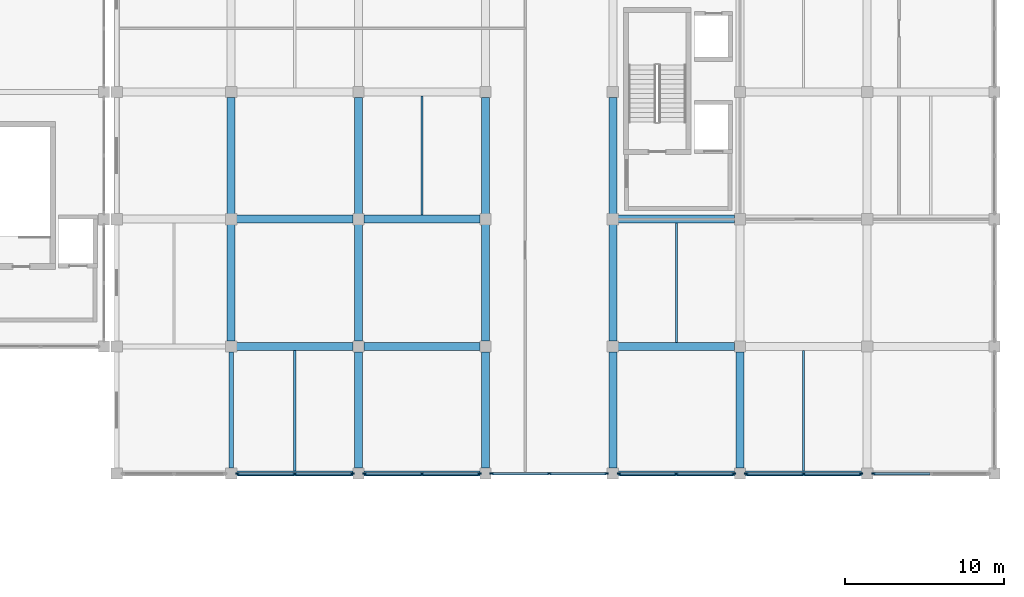
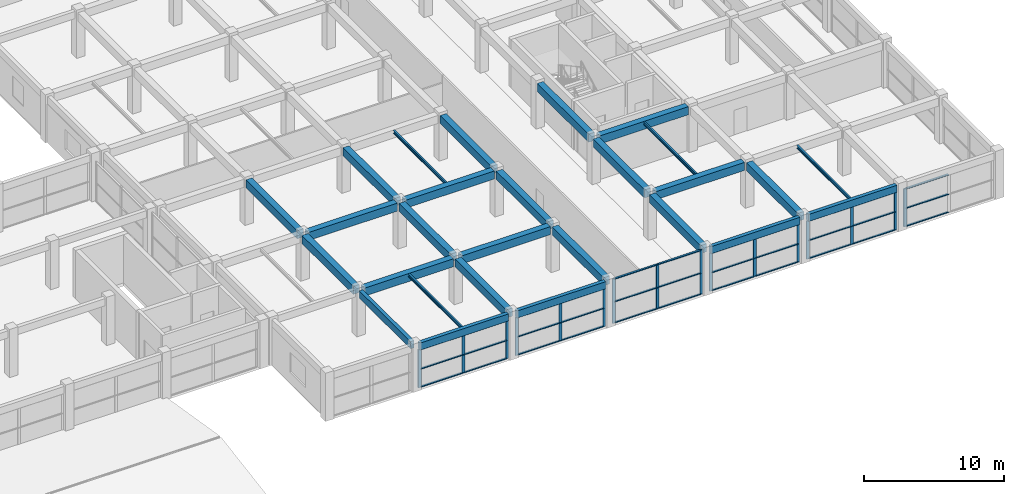
# One storey, part 20 of 67: 49 members, 27 beams, 6 elements without a shape of their own.
"""IFC4 building model written with IfcOpenShell, lengths in metres."""

from ifc_helpers import new_model, si_unit, direction, frame, origin, origin_2d, place, context, subcontext, project, spatial, rectangle, i_section, extrude, material, material_profile, profile_set, type_object, element, aggregate, save


model = new_model("IFC4")

# Units and contexts
model_context = context("Model", 3, precision=1e-05, world=origin(), true_north=direction((0.0, 1.0)))
body_context = subcontext(model_context, "Body", "Model", "MODEL_VIEW")
ifc_project = project(units=[si_unit("LENGTHUNIT", "METRE"), si_unit("AREAUNIT", "SQUARE_METRE"), si_unit("VOLUMEUNIT", "CUBIC_METRE"), si_unit("PLANEANGLEUNIT", "RADIAN"), si_unit("MASSUNIT", "GRAM", prefix="KILO")], contexts=[model_context])

# Site, building, storey
site_placement = place(None, origin())
site = spatial("IfcSite", under=ifc_project, at=site_placement, CompositionType="ELEMENT")
building_placement = place(site_placement, origin())
building = spatial("IfcBuilding", under=site, at=building_placement, Name="Kenh Van Central Station", CompositionType="ELEMENT")
storey_placement = place(building_placement, frame((0.0, 0.0, 10.800048828125)))
storey = spatial("IfcBuildingStorey", under=building, at=storey_placement, Name="L02", CompositionType="ELEMENT", Elevation=10.800048828125)

# Beams
ifc_material_1 = material(Name="Concrete C35/45", Category="concrete")
ifc_material_profile_1 = material_profile(ifc_material_1, rectangle(XDim=0.5, YDim=0.699951171875, at=origin_2d()), Name="RC 500x700")
ifc_profile_set_1 = profile_set([ifc_material_profile_1], Name="Concrete C35/45")
beam_type_1 = type_object("IfcBeamType", Name="BM-RC-500x700", PredefinedType="BEAM", material=ifc_profile_set_1)
for number, where, z_axis, x_axis, name in (
    (1, (128.340087890625, 16.0, 3.599853515625), (1.0, 0.0, 0.0), (0.0, 1.0, 0.0), "L02 beam 0930"),
    (2, (136.340087890625, 16.0, 3.599853515625), (1.0, 0.0, 0.0), (0.0, 1.0, 0.0), "L02 beam 0931"),
    (3, (152.340087890625, 16.0, 3.599853515625), (1.0, 0.0, 0.0), (0.0, 1.0, 0.0), "L02 beam 0932"),
    (4, (128.340087890625, 24.0, 3.599853515625), (1.0, 0.0, 0.0), (0.0, 1.0, 0.0), "L02 beam 0943"),
    (5, (136.340087890625, 24.0, 3.599853515625), (1.0, 0.0, 0.0), (0.0, 1.0, 0.0), "L02 beam 0944"),
    (6, (152.340087890625, 24.0, 3.599853515625), (1.0, 0.0, 0.0), (0.0, 1.0, 0.0), "L02 beam 0945"),
    (7, (128.0, 16.340087890625, 3.599853515625), (0.0, 1.0, 0.0), (-1.0, 0.0, 0.0), "L02 beam 1037"),
    (8, (128.0, 24.340087890625, 3.599853515625), (0.0, 1.0, 0.0), (-1.0, 0.0, 0.0), "L02 beam 1038"),
    (9, (136.0, 8.340087890625, 3.599853515625), (0.0, 1.0, 0.0), (-1.0, 0.0, 0.0), "L02 beam 1042"),
    (10, (136.0, 16.340087890625, 3.599853515625), (0.0, 1.0, 0.0), (-1.0, 0.0, 0.0), "L02 beam 1043"),
    (11, (136.0, 24.340087890625, 3.599853515625), (0.0, 1.0, 0.0), (-1.0, 0.0, 0.0), "L02 beam 1044"),
    (12, (144.0, 8.340087890625, 3.599853515625), (0.0, 1.0, 0.0), (-1.0, 0.0, 0.0), "L02 beam 1048"),
    (13, (144.0, 16.340087890625, 3.599853515625), (0.0, 1.0, 0.0), (-1.0, 0.0, 0.0), "L02 beam 1049"),
    (14, (144.0, 24.340087890625, 3.599853515625), (0.0, 1.0, 0.0), (-1.0, 0.0, 0.0), "L02 beam 1050"),
    (15, (152.0, 8.340087890625, 3.599853515625), (0.0, 1.0, 0.0), (-1.0, 0.0, 0.0), "L02 beam 1055"),
    (16, (152.0, 16.340087890625, 3.599853515625), (0.0, 1.0, 0.0), (-1.0, 0.0, 0.0), "L02 beam 1056"),
    (17, (152.0, 24.340087890625, 3.599853515625), (0.0, 1.0, 0.0), (-1.0, 0.0, 0.0), "L02 beam 1057"),
    (18, (160.0, 8.340087890625, 3.599853515625), (0.0, 1.0, 0.0), (-1.0, 0.0, 0.0), "L02 beam 1064"),
):
    element("IfcBeam", number, at=place(storey_placement, frame(where, z_axis=z_axis, x_axis=x_axis)), inside=storey, type_object=beam_type_1, Name=name, PredefinedType="BEAM", context=body_context, shape_type="SweptSolid", body=[
        extrude(rectangle(XDim=0.5, YDim=0.699951171875, at=origin_2d()), origin(), (0.0, 0.0, 1.0), 7.31982421875),
    ])

# Curtain wall, members
ifc_material_2 = material(Name="Champagne anodised aluminium", Category="aluminium")
curtain_wall_type = type_object("IfcCurtainWallType", Name="CW-OPER-A", PredefinedType="NOTDEFINED", material=ifc_material_2)
curtain_wall_1_placement = place(storey_placement, origin())
curtain_wall_1 = element("IfcCurtainWall", 19, at=curtain_wall_1_placement, inside=storey, type_object=curtain_wall_type, Name="L02 curtain wall 183", PredefinedType="NOTDEFINED")
ifc_material_profile_2 = material_profile(ifc_material_2, rectangle(XDim=0.087890625, YDim=0.239990234375, at=origin_2d()), Name="AL 88x240")
ifc_profile_set_2 = profile_set([ifc_material_profile_2], Name="Champagne anodised aluminium")
member_type_1 = type_object("IfcMemberType", Name="CWM-60x140", PredefinedType="MULLION", material=ifc_profile_set_2)
member_1_placement = place(storey_placement, frame((128.39404296875, 8.0, 0.0), z_axis=(0.0, 0.0, 1.0), x_axis=(0.0, 1.0, 0.0)))
member_1 = element("IfcMember", 20, at=member_1_placement, type_object=member_type_1, Name="CW-07 mullion 1", PredefinedType="MULLION", context=body_context, shape_type="SweptSolid", body=[
    extrude(rectangle(XDim=0.087890625, YDim=0.239990234375, at=origin_2d()), origin(), (0.0, 0.0, 1.0), 3.329833984375),
])
member_2_placement = place(storey_placement, frame((132.0, 8.0, 0.0), z_axis=(0.0, 0.0, 1.0), x_axis=(0.0, 1.0, 0.0)))
member_2 = element("IfcMember", 21, at=member_2_placement, type_object=member_type_1, Name="CW-07 mullion 2", PredefinedType="MULLION", context=body_context, shape_type="SweptSolid", body=[
    extrude(rectangle(XDim=0.087890625, YDim=0.239990234375, at=origin_2d()), origin(), (0.0, 0.0, 1.0), 3.329833984375),
])
member_3_placement = place(storey_placement, frame((135.60595703125, 8.0, 0.0), z_axis=(0.0, 0.0, 1.0), x_axis=(0.0, 1.0, 0.0)))
member_3 = element("IfcMember", 22, at=member_3_placement, type_object=member_type_1, Name="CW-07 mullion 3", PredefinedType="MULLION", context=body_context, shape_type="SweptSolid", body=[
    extrude(rectangle(XDim=0.087890625, YDim=0.239990234375, at=origin_2d()), origin(), (0.0, 0.0, 1.0), 3.329833984375),
])

curtain_wall_2_placement = place(storey_placement, origin())
curtain_wall_2 = element("IfcCurtainWall", 23, at=curtain_wall_2_placement, inside=storey, type_object=curtain_wall_type, Name="L02 curtain wall 184", PredefinedType="NOTDEFINED")
member_4_placement = place(storey_placement, frame((136.39404296875, 8.0, 0.0), z_axis=(0.0, 0.0, 1.0), x_axis=(0.0, 1.0, 0.0)))
member_4 = element("IfcMember", 24, at=member_4_placement, type_object=member_type_1, Name="CW-07 mullion 1", PredefinedType="MULLION", context=body_context, shape_type="SweptSolid", body=[
    extrude(rectangle(XDim=0.087890625, YDim=0.239990234375, at=origin_2d()), origin(), (0.0, 0.0, 1.0), 3.329833984375),
])
member_5_placement = place(storey_placement, frame((140.0, 8.0, 0.0), z_axis=(0.0, 0.0, 1.0), x_axis=(0.0, 1.0, 0.0)))
member_5 = element("IfcMember", 25, at=member_5_placement, type_object=member_type_1, Name="CW-07 mullion 2", PredefinedType="MULLION", context=body_context, shape_type="SweptSolid", body=[
    extrude(rectangle(XDim=0.087890625, YDim=0.239990234375, at=origin_2d()), origin(), (0.0, 0.0, 1.0), 3.329833984375),
])
member_6_placement = place(storey_placement, frame((143.60595703125, 8.0, 0.0), z_axis=(0.0, 0.0, 1.0), x_axis=(0.0, 1.0, 0.0)))
member_6 = element("IfcMember", 26, at=member_6_placement, type_object=member_type_1, Name="CW-07 mullion 3", PredefinedType="MULLION", context=body_context, shape_type="SweptSolid", body=[
    extrude(rectangle(XDim=0.087890625, YDim=0.239990234375, at=origin_2d()), origin(), (0.0, 0.0, 1.0), 3.329833984375),
])

curtain_wall_3_placement = place(storey_placement, origin())
curtain_wall_3 = element("IfcCurtainWall", 27, at=curtain_wall_3_placement, inside=storey, type_object=curtain_wall_type, Name="L02 curtain wall 185", PredefinedType="NOTDEFINED")
member_7_placement = place(storey_placement, frame((144.39404296875, 8.0, 0.0), z_axis=(0.0, 0.0, 1.0), x_axis=(0.0, 1.0, 0.0)))
member_7 = element("IfcMember", 28, at=member_7_placement, type_object=member_type_1, Name="CW-07 mullion 1", PredefinedType="MULLION", context=body_context, shape_type="SweptSolid", body=[
    extrude(rectangle(XDim=0.087890625, YDim=0.239990234375, at=origin_2d()), origin(), (0.0, 0.0, 1.0), 3.8798828125),
])
member_8_placement = place(storey_placement, frame((148.0, 8.0, 0.0), z_axis=(0.0, 0.0, 1.0), x_axis=(0.0, 1.0, 0.0)))
member_8 = element("IfcMember", 29, at=member_8_placement, type_object=member_type_1, Name="CW-07 mullion 2", PredefinedType="MULLION", context=body_context, shape_type="SweptSolid", body=[
    extrude(rectangle(XDim=0.087890625, YDim=0.239990234375, at=origin_2d()), origin(), (0.0, 0.0, 1.0), 3.8798828125),
])
member_9_placement = place(storey_placement, frame((151.60595703125, 8.0, 0.0), z_axis=(0.0, 0.0, 1.0), x_axis=(0.0, 1.0, 0.0)))
member_9 = element("IfcMember", 30, at=member_9_placement, type_object=member_type_1, Name="CW-07 mullion 3", PredefinedType="MULLION", context=body_context, shape_type="SweptSolid", body=[
    extrude(rectangle(XDim=0.087890625, YDim=0.239990234375, at=origin_2d()), origin(), (0.0, 0.0, 1.0), 3.8798828125),
])

curtain_wall_4_placement = place(storey_placement, origin())
curtain_wall_4 = element("IfcCurtainWall", 31, at=curtain_wall_4_placement, inside=storey, type_object=curtain_wall_type, Name="L02 curtain wall 186", PredefinedType="NOTDEFINED")
member_10_placement = place(storey_placement, frame((152.39404296875, 8.0, 0.0), z_axis=(0.0, 0.0, 1.0), x_axis=(0.0, 1.0, 0.0)))
member_10 = element("IfcMember", 32, at=member_10_placement, type_object=member_type_1, Name="CW-07 mullion 1", PredefinedType="MULLION", context=body_context, shape_type="SweptSolid", body=[
    extrude(rectangle(XDim=0.087890625, YDim=0.239990234375, at=origin_2d()), origin(), (0.0, 0.0, 1.0), 3.329833984375),
])
member_11_placement = place(storey_placement, frame((156.0, 8.0, 0.0), z_axis=(0.0, 0.0, 1.0), x_axis=(0.0, 1.0, 0.0)))
member_11 = element("IfcMember", 33, at=member_11_placement, type_object=member_type_1, Name="CW-07 mullion 2", PredefinedType="MULLION", context=body_context, shape_type="SweptSolid", body=[
    extrude(rectangle(XDim=0.087890625, YDim=0.239990234375, at=origin_2d()), origin(), (0.0, 0.0, 1.0), 3.329833984375),
])
member_12_placement = place(storey_placement, frame((159.60595703125, 8.0, 0.0), z_axis=(0.0, 0.0, 1.0), x_axis=(0.0, 1.0, 0.0)))
member_12 = element("IfcMember", 34, at=member_12_placement, type_object=member_type_1, Name="CW-07 mullion 3", PredefinedType="MULLION", context=body_context, shape_type="SweptSolid", body=[
    extrude(rectangle(XDim=0.087890625, YDim=0.239990234375, at=origin_2d()), origin(), (0.0, 0.0, 1.0), 3.329833984375),
])

curtain_wall_5_placement = place(storey_placement, origin())
curtain_wall_5 = element("IfcCurtainWall", 35, at=curtain_wall_5_placement, inside=storey, type_object=curtain_wall_type, Name="L02 curtain wall 187", PredefinedType="NOTDEFINED")
member_13_placement = place(storey_placement, frame((160.39404296875, 8.0, 0.0), z_axis=(0.0, 0.0, 1.0), x_axis=(0.0, 1.0, 0.0)))
member_13 = element("IfcMember", 36, at=member_13_placement, type_object=member_type_1, Name="CW-07 mullion 1", PredefinedType="MULLION", context=body_context, shape_type="SweptSolid", body=[
    extrude(rectangle(XDim=0.087890625, YDim=0.239990234375, at=origin_2d()), origin(), (0.0, 0.0, 1.0), 3.329833984375),
])
member_14_placement = place(storey_placement, frame((164.0, 8.0, 0.0), z_axis=(0.0, 0.0, 1.0), x_axis=(0.0, 1.0, 0.0)))
member_14 = element("IfcMember", 37, at=member_14_placement, type_object=member_type_1, Name="CW-07 mullion 2", PredefinedType="MULLION", context=body_context, shape_type="SweptSolid", body=[
    extrude(rectangle(XDim=0.087890625, YDim=0.239990234375, at=origin_2d()), origin(), (0.0, 0.0, 1.0), 3.329833984375),
])
member_15_placement = place(storey_placement, frame((167.60595703125, 8.0, 0.0), z_axis=(0.0, 0.0, 1.0), x_axis=(0.0, 1.0, 0.0)))
member_15 = element("IfcMember", 38, at=member_15_placement, type_object=member_type_1, Name="CW-07 mullion 3", PredefinedType="MULLION", context=body_context, shape_type="SweptSolid", body=[
    extrude(rectangle(XDim=0.087890625, YDim=0.239990234375, at=origin_2d()), origin(), (0.0, 0.0, 1.0), 3.329833984375),
])

# Curtain wall, member
curtain_wall_6_placement = place(storey_placement, origin())
curtain_wall_6 = element("IfcCurtainWall", 39, at=curtain_wall_6_placement, inside=storey, type_object=curtain_wall_type, Name="L02 curtain wall 188", PredefinedType="NOTDEFINED")
member_16_placement = place(storey_placement, frame((168.39404296875, 8.0, 0.0), z_axis=(0.0, 0.0, 1.0), x_axis=(0.0, 1.0, 0.0)))
member_16 = element("IfcMember", 40, at=member_16_placement, type_object=member_type_1, Name="CW-07 mullion 1", PredefinedType="MULLION", context=body_context, shape_type="SweptSolid", body=[
    extrude(rectangle(XDim=0.087890625, YDim=0.239990234375, at=origin_2d()), origin(), (0.0, 0.0, 1.0), 3.329833984375),
])

# Member
ifc_material_profile_3 = material_profile(ifc_material_2, rectangle(XDim=0.155029296875, YDim=0.072021484375, at=origin_2d()), Name="AL 155x72")
ifc_profile_set_3 = profile_set([ifc_material_profile_3], Name="Champagne anodised aluminium")
member_type_2 = type_object("IfcMemberType", Name="CWT-120x60", PredefinedType="USERDEFINED", material=ifc_profile_set_3)
member_17_placement = place(storey_placement, frame((128.43798828125, 8.0, 0.035888671875), z_axis=(1.0, 0.0, 0.0), x_axis=(0.0, 1.0, 0.0)))
member_17 = element("IfcMember", 41, at=member_17_placement, type_object=member_type_2, Name="CW-07 transom 1.1", ObjectType="TRANSOM", PredefinedType="USERDEFINED", context=body_context, shape_type="SweptSolid", body=[
    extrude(rectangle(XDim=0.155029296875, YDim=0.072021484375, at=origin_2d()), origin(), (0.0, 0.0, 1.0), 3.51806640625),
])

member_18_placement = place(storey_placement, frame((128.43798828125, 8.0, 1.598388671875), z_axis=(1.0, 0.0, 0.0), x_axis=(0.0, 1.0, 0.0)))
member_18 = element("IfcMember", 42, at=member_18_placement, type_object=member_type_2, Name="CW-07 transom 1.2", ObjectType="TRANSOM", PredefinedType="USERDEFINED", context=body_context, shape_type="SweptSolid", body=[
    extrude(rectangle(XDim=0.155029296875, YDim=0.072021484375, at=origin_2d()), origin(), (0.0, 0.0, 1.0), 3.51806640625),
])

member_19_placement = place(storey_placement, frame((128.43798828125, 8.0, 3.2939453125), z_axis=(1.0, 0.0, 0.0), x_axis=(0.0, 1.0, 0.0)))
member_19 = element("IfcMember", 43, at=member_19_placement, type_object=member_type_2, Name="CW-07 transom 1.3", ObjectType="TRANSOM", PredefinedType="USERDEFINED", context=body_context, shape_type="SweptSolid", body=[
    extrude(rectangle(XDim=0.155029296875, YDim=0.072021484375, at=origin_2d()), origin(), (0.0, 0.0, 1.0), 3.51806640625),
])

member_20_placement = place(storey_placement, frame((132.0439453125, 8.0, 0.035888671875), z_axis=(1.0, 0.0, 0.0), x_axis=(0.0, 1.0, 0.0)))
member_20 = element("IfcMember", 44, at=member_20_placement, type_object=member_type_2, Name="CW-07 transom 2.1", ObjectType="TRANSOM", PredefinedType="USERDEFINED", context=body_context, shape_type="SweptSolid", body=[
    extrude(rectangle(XDim=0.155029296875, YDim=0.072021484375, at=origin_2d()), origin(), (0.0, 0.0, 1.0), 3.51806640625),
])

member_21_placement = place(storey_placement, frame((132.0439453125, 8.0, 1.598388671875), z_axis=(1.0, 0.0, 0.0), x_axis=(0.0, 1.0, 0.0)))
member_21 = element("IfcMember", 45, at=member_21_placement, type_object=member_type_2, Name="CW-07 transom 2.2", ObjectType="TRANSOM", PredefinedType="USERDEFINED", context=body_context, shape_type="SweptSolid", body=[
    extrude(rectangle(XDim=0.155029296875, YDim=0.072021484375, at=origin_2d()), origin(), (0.0, 0.0, 1.0), 3.51806640625),
])

member_22_placement = place(storey_placement, frame((132.0439453125, 8.0, 3.2939453125), z_axis=(1.0, 0.0, 0.0), x_axis=(0.0, 1.0, 0.0)))
member_22 = element("IfcMember", 46, at=member_22_placement, type_object=member_type_2, Name="CW-07 transom 2.3", ObjectType="TRANSOM", PredefinedType="USERDEFINED", context=body_context, shape_type="SweptSolid", body=[
    extrude(rectangle(XDim=0.155029296875, YDim=0.072021484375, at=origin_2d()), origin(), (0.0, 0.0, 1.0), 3.51806640625),
])

aggregate(curtain_wall_1, [member_1, member_2, member_3, member_17, member_18, member_19, member_20, member_21, member_22])

member_23_placement = place(storey_placement, frame((136.43798828125, 8.0, 0.035888671875), z_axis=(1.0, 0.0, 0.0), x_axis=(0.0, 1.0, 0.0)))
member_23 = element("IfcMember", 47, at=member_23_placement, type_object=member_type_2, Name="CW-07 transom 1.1", ObjectType="TRANSOM", PredefinedType="USERDEFINED", context=body_context, shape_type="SweptSolid", body=[
    extrude(rectangle(XDim=0.155029296875, YDim=0.072021484375, at=origin_2d()), origin(), (0.0, 0.0, 1.0), 3.51806640625),
])

member_24_placement = place(storey_placement, frame((136.43798828125, 8.0, 1.598388671875), z_axis=(1.0, 0.0, 0.0), x_axis=(0.0, 1.0, 0.0)))
member_24 = element("IfcMember", 48, at=member_24_placement, type_object=member_type_2, Name="CW-07 transom 1.2", ObjectType="TRANSOM", PredefinedType="USERDEFINED", context=body_context, shape_type="SweptSolid", body=[
    extrude(rectangle(XDim=0.155029296875, YDim=0.072021484375, at=origin_2d()), origin(), (0.0, 0.0, 1.0), 3.51806640625),
])

member_25_placement = place(storey_placement, frame((136.43798828125, 8.0, 3.2939453125), z_axis=(1.0, 0.0, 0.0), x_axis=(0.0, 1.0, 0.0)))
member_25 = element("IfcMember", 49, at=member_25_placement, type_object=member_type_2, Name="CW-07 transom 1.3", ObjectType="TRANSOM", PredefinedType="USERDEFINED", context=body_context, shape_type="SweptSolid", body=[
    extrude(rectangle(XDim=0.155029296875, YDim=0.072021484375, at=origin_2d()), origin(), (0.0, 0.0, 1.0), 3.51806640625),
])

member_26_placement = place(storey_placement, frame((140.0439453125, 8.0, 0.035888671875), z_axis=(1.0, 0.0, 0.0), x_axis=(0.0, 1.0, 0.0)))
member_26 = element("IfcMember", 50, at=member_26_placement, type_object=member_type_2, Name="CW-07 transom 2.1", ObjectType="TRANSOM", PredefinedType="USERDEFINED", context=body_context, shape_type="SweptSolid", body=[
    extrude(rectangle(XDim=0.155029296875, YDim=0.072021484375, at=origin_2d()), origin(), (0.0, 0.0, 1.0), 3.51806640625),
])

member_27_placement = place(storey_placement, frame((140.0439453125, 8.0, 1.598388671875), z_axis=(1.0, 0.0, 0.0), x_axis=(0.0, 1.0, 0.0)))
member_27 = element("IfcMember", 51, at=member_27_placement, type_object=member_type_2, Name="CW-07 transom 2.2", ObjectType="TRANSOM", PredefinedType="USERDEFINED", context=body_context, shape_type="SweptSolid", body=[
    extrude(rectangle(XDim=0.155029296875, YDim=0.072021484375, at=origin_2d()), origin(), (0.0, 0.0, 1.0), 3.51806640625),
])

member_28_placement = place(storey_placement, frame((140.0439453125, 8.0, 3.2939453125), z_axis=(1.0, 0.0, 0.0), x_axis=(0.0, 1.0, 0.0)))
member_28 = element("IfcMember", 52, at=member_28_placement, type_object=member_type_2, Name="CW-07 transom 2.3", ObjectType="TRANSOM", PredefinedType="USERDEFINED", context=body_context, shape_type="SweptSolid", body=[
    extrude(rectangle(XDim=0.155029296875, YDim=0.072021484375, at=origin_2d()), origin(), (0.0, 0.0, 1.0), 3.51806640625),
])

aggregate(curtain_wall_2, [member_4, member_5, member_6, member_23, member_24, member_25, member_26, member_27, member_28])

member_29_placement = place(storey_placement, frame((144.43798828125, 8.0, 0.035888671875), z_axis=(1.0, 0.0, 0.0), x_axis=(0.0, 1.0, 0.0)))
member_29 = element("IfcMember", 53, at=member_29_placement, type_object=member_type_2, Name="CW-07 transom 1.1", ObjectType="TRANSOM", PredefinedType="USERDEFINED", context=body_context, shape_type="SweptSolid", body=[
    extrude(rectangle(XDim=0.155029296875, YDim=0.072021484375, at=origin_2d()), origin(), (0.0, 0.0, 1.0), 3.51806640625),
])

member_30_placement = place(storey_placement, frame((144.43798828125, 8.0, 1.8623046875), z_axis=(1.0, 0.0, 0.0), x_axis=(0.0, 1.0, 0.0)))
member_30 = element("IfcMember", 54, at=member_30_placement, type_object=member_type_2, Name="CW-07 transom 1.2", ObjectType="TRANSOM", PredefinedType="USERDEFINED", context=body_context, shape_type="SweptSolid", body=[
    extrude(rectangle(XDim=0.155029296875, YDim=0.072021484375, at=origin_2d()), origin(), (0.0, 0.0, 1.0), 3.51806640625),
])

member_31_placement = place(storey_placement, frame((144.43798828125, 8.0, 3.843994140625), z_axis=(1.0, 0.0, 0.0), x_axis=(0.0, 1.0, 0.0)))
member_31 = element("IfcMember", 55, at=member_31_placement, type_object=member_type_2, Name="CW-07 transom 1.3", ObjectType="TRANSOM", PredefinedType="USERDEFINED", context=body_context, shape_type="SweptSolid", body=[
    extrude(rectangle(XDim=0.155029296875, YDim=0.072021484375, at=origin_2d()), origin(), (0.0, 0.0, 1.0), 3.51806640625),
])

member_32_placement = place(storey_placement, frame((148.0439453125, 8.0, 0.035888671875), z_axis=(1.0, 0.0, 0.0), x_axis=(0.0, 1.0, 0.0)))
member_32 = element("IfcMember", 56, at=member_32_placement, type_object=member_type_2, Name="CW-07 transom 2.1", ObjectType="TRANSOM", PredefinedType="USERDEFINED", context=body_context, shape_type="SweptSolid", body=[
    extrude(rectangle(XDim=0.155029296875, YDim=0.072021484375, at=origin_2d()), origin(), (0.0, 0.0, 1.0), 3.51806640625),
])

member_33_placement = place(storey_placement, frame((148.0439453125, 8.0, 1.8623046875), z_axis=(1.0, 0.0, 0.0), x_axis=(0.0, 1.0, 0.0)))
member_33 = element("IfcMember", 57, at=member_33_placement, type_object=member_type_2, Name="CW-07 transom 2.2", ObjectType="TRANSOM", PredefinedType="USERDEFINED", context=body_context, shape_type="SweptSolid", body=[
    extrude(rectangle(XDim=0.155029296875, YDim=0.072021484375, at=origin_2d()), origin(), (0.0, 0.0, 1.0), 3.51806640625),
])

member_34_placement = place(storey_placement, frame((148.0439453125, 8.0, 3.843994140625), z_axis=(1.0, 0.0, 0.0), x_axis=(0.0, 1.0, 0.0)))
member_34 = element("IfcMember", 58, at=member_34_placement, type_object=member_type_2, Name="CW-07 transom 2.3", ObjectType="TRANSOM", PredefinedType="USERDEFINED", context=body_context, shape_type="SweptSolid", body=[
    extrude(rectangle(XDim=0.155029296875, YDim=0.072021484375, at=origin_2d()), origin(), (0.0, 0.0, 1.0), 3.51806640625),
])

aggregate(curtain_wall_3, [member_7, member_8, member_9, member_29, member_30, member_31, member_32, member_33, member_34])

member_35_placement = place(storey_placement, frame((152.43798828125, 8.0, 0.035888671875), z_axis=(1.0, 0.0, 0.0), x_axis=(0.0, 1.0, 0.0)))
member_35 = element("IfcMember", 59, at=member_35_placement, type_object=member_type_2, Name="CW-07 transom 1.1", ObjectType="TRANSOM", PredefinedType="USERDEFINED", context=body_context, shape_type="SweptSolid", body=[
    extrude(rectangle(XDim=0.155029296875, YDim=0.072021484375, at=origin_2d()), origin(), (0.0, 0.0, 1.0), 3.51806640625),
])

member_36_placement = place(storey_placement, frame((152.43798828125, 8.0, 1.598388671875), z_axis=(1.0, 0.0, 0.0), x_axis=(0.0, 1.0, 0.0)))
member_36 = element("IfcMember", 60, at=member_36_placement, type_object=member_type_2, Name="CW-07 transom 1.2", ObjectType="TRANSOM", PredefinedType="USERDEFINED", context=body_context, shape_type="SweptSolid", body=[
    extrude(rectangle(XDim=0.155029296875, YDim=0.072021484375, at=origin_2d()), origin(), (0.0, 0.0, 1.0), 3.51806640625),
])

member_37_placement = place(storey_placement, frame((152.43798828125, 8.0, 3.2939453125), z_axis=(1.0, 0.0, 0.0), x_axis=(0.0, 1.0, 0.0)))
member_37 = element("IfcMember", 61, at=member_37_placement, type_object=member_type_2, Name="CW-07 transom 1.3", ObjectType="TRANSOM", PredefinedType="USERDEFINED", context=body_context, shape_type="SweptSolid", body=[
    extrude(rectangle(XDim=0.155029296875, YDim=0.072021484375, at=origin_2d()), origin(), (0.0, 0.0, 1.0), 3.51806640625),
])

member_38_placement = place(storey_placement, frame((156.0439453125, 8.0, 0.035888671875), z_axis=(1.0, 0.0, 0.0), x_axis=(0.0, 1.0, 0.0)))
member_38 = element("IfcMember", 62, at=member_38_placement, type_object=member_type_2, Name="CW-07 transom 2.1", ObjectType="TRANSOM", PredefinedType="USERDEFINED", context=body_context, shape_type="SweptSolid", body=[
    extrude(rectangle(XDim=0.155029296875, YDim=0.072021484375, at=origin_2d()), origin(), (0.0, 0.0, 1.0), 3.51806640625),
])

member_39_placement = place(storey_placement, frame((156.0439453125, 8.0, 1.598388671875), z_axis=(1.0, 0.0, 0.0), x_axis=(0.0, 1.0, 0.0)))
member_39 = element("IfcMember", 63, at=member_39_placement, type_object=member_type_2, Name="CW-07 transom 2.2", ObjectType="TRANSOM", PredefinedType="USERDEFINED", context=body_context, shape_type="SweptSolid", body=[
    extrude(rectangle(XDim=0.155029296875, YDim=0.072021484375, at=origin_2d()), origin(), (0.0, 0.0, 1.0), 3.51806640625),
])

member_40_placement = place(storey_placement, frame((156.0439453125, 8.0, 3.2939453125), z_axis=(1.0, 0.0, 0.0), x_axis=(0.0, 1.0, 0.0)))
member_40 = element("IfcMember", 64, at=member_40_placement, type_object=member_type_2, Name="CW-07 transom 2.3", ObjectType="TRANSOM", PredefinedType="USERDEFINED", context=body_context, shape_type="SweptSolid", body=[
    extrude(rectangle(XDim=0.155029296875, YDim=0.072021484375, at=origin_2d()), origin(), (0.0, 0.0, 1.0), 3.51806640625),
])

aggregate(curtain_wall_4, [member_10, member_11, member_12, member_35, member_36, member_37, member_38, member_39, member_40])

member_41_placement = place(storey_placement, frame((160.43798828125, 8.0, 0.035888671875), z_axis=(1.0, 0.0, 0.0), x_axis=(0.0, 1.0, 0.0)))
member_41 = element("IfcMember", 65, at=member_41_placement, type_object=member_type_2, Name="CW-07 transom 1.1", ObjectType="TRANSOM", PredefinedType="USERDEFINED", context=body_context, shape_type="SweptSolid", body=[
    extrude(rectangle(XDim=0.155029296875, YDim=0.072021484375, at=origin_2d()), origin(), (0.0, 0.0, 1.0), 3.51806640625),
])

member_42_placement = place(storey_placement, frame((160.43798828125, 8.0, 1.598388671875), z_axis=(1.0, 0.0, 0.0), x_axis=(0.0, 1.0, 0.0)))
member_42 = element("IfcMember", 66, at=member_42_placement, type_object=member_type_2, Name="CW-07 transom 1.2", ObjectType="TRANSOM", PredefinedType="USERDEFINED", context=body_context, shape_type="SweptSolid", body=[
    extrude(rectangle(XDim=0.155029296875, YDim=0.072021484375, at=origin_2d()), origin(), (0.0, 0.0, 1.0), 3.51806640625),
])

member_43_placement = place(storey_placement, frame((160.43798828125, 8.0, 3.2939453125), z_axis=(1.0, 0.0, 0.0), x_axis=(0.0, 1.0, 0.0)))
member_43 = element("IfcMember", 67, at=member_43_placement, type_object=member_type_2, Name="CW-07 transom 1.3", ObjectType="TRANSOM", PredefinedType="USERDEFINED", context=body_context, shape_type="SweptSolid", body=[
    extrude(rectangle(XDim=0.155029296875, YDim=0.072021484375, at=origin_2d()), origin(), (0.0, 0.0, 1.0), 3.51806640625),
])

member_44_placement = place(storey_placement, frame((164.0439453125, 8.0, 0.035888671875), z_axis=(1.0, 0.0, 0.0), x_axis=(0.0, 1.0, 0.0)))
member_44 = element("IfcMember", 68, at=member_44_placement, type_object=member_type_2, Name="CW-07 transom 2.1", ObjectType="TRANSOM", PredefinedType="USERDEFINED", context=body_context, shape_type="SweptSolid", body=[
    extrude(rectangle(XDim=0.155029296875, YDim=0.072021484375, at=origin_2d()), origin(), (0.0, 0.0, 1.0), 3.51806640625),
])

member_45_placement = place(storey_placement, frame((164.0439453125, 8.0, 1.598388671875), z_axis=(1.0, 0.0, 0.0), x_axis=(0.0, 1.0, 0.0)))
member_45 = element("IfcMember", 69, at=member_45_placement, type_object=member_type_2, Name="CW-07 transom 2.2", ObjectType="TRANSOM", PredefinedType="USERDEFINED", context=body_context, shape_type="SweptSolid", body=[
    extrude(rectangle(XDim=0.155029296875, YDim=0.072021484375, at=origin_2d()), origin(), (0.0, 0.0, 1.0), 3.51806640625),
])

member_46_placement = place(storey_placement, frame((164.0439453125, 8.0, 3.2939453125), z_axis=(1.0, 0.0, 0.0), x_axis=(0.0, 1.0, 0.0)))
member_46 = element("IfcMember", 70, at=member_46_placement, type_object=member_type_2, Name="CW-07 transom 2.3", ObjectType="TRANSOM", PredefinedType="USERDEFINED", context=body_context, shape_type="SweptSolid", body=[
    extrude(rectangle(XDim=0.155029296875, YDim=0.072021484375, at=origin_2d()), origin(), (0.0, 0.0, 1.0), 3.51806640625),
])

aggregate(curtain_wall_5, [member_13, member_14, member_15, member_41, member_42, member_43, member_44, member_45, member_46])

member_47_placement = place(storey_placement, frame((168.43798828125, 8.0, 0.035888671875), z_axis=(1.0, 0.0, 0.0), x_axis=(0.0, 1.0, 0.0)))
member_47 = element("IfcMember", 71, at=member_47_placement, type_object=member_type_2, Name="CW-07 transom 1.1", ObjectType="TRANSOM", PredefinedType="USERDEFINED", context=body_context, shape_type="SweptSolid", body=[
    extrude(rectangle(XDim=0.155029296875, YDim=0.072021484375, at=origin_2d()), origin(), (0.0, 0.0, 1.0), 3.51806640625),
])

member_48_placement = place(storey_placement, frame((168.43798828125, 8.0, 1.598388671875), z_axis=(1.0, 0.0, 0.0), x_axis=(0.0, 1.0, 0.0)))
member_48 = element("IfcMember", 72, at=member_48_placement, type_object=member_type_2, Name="CW-07 transom 1.2", ObjectType="TRANSOM", PredefinedType="USERDEFINED", context=body_context, shape_type="SweptSolid", body=[
    extrude(rectangle(XDim=0.155029296875, YDim=0.072021484375, at=origin_2d()), origin(), (0.0, 0.0, 1.0), 3.51806640625),
])

member_49_placement = place(storey_placement, frame((168.43798828125, 8.0, 3.2939453125), z_axis=(1.0, 0.0, 0.0), x_axis=(0.0, 1.0, 0.0)))
member_49 = element("IfcMember", 73, at=member_49_placement, type_object=member_type_2, Name="CW-07 transom 1.3", ObjectType="TRANSOM", PredefinedType="USERDEFINED", context=body_context, shape_type="SweptSolid", body=[
    extrude(rectangle(XDim=0.155029296875, YDim=0.072021484375, at=origin_2d()), origin(), (0.0, 0.0, 1.0), 3.51806640625),
])

aggregate(curtain_wall_6, [member_16, member_47, member_48, member_49])

# Beams
ifc_material_3 = material(Name="Steel S355", Category="steel")
ifc_material_profile_4 = material_profile(ifc_material_3, i_section(OverallWidth=0.135009765625, OverallDepth=0.27001953125, WebThickness=0.006591796875, FlangeThickness=0.01025390625, FilletRadius=0.014892578125, at=origin_2d()), Name="IPE 270")
ifc_profile_set_4 = profile_set([ifc_material_profile_4], Name="Steel S355")
beam_type_2 = type_object("IfcBeamType", Name="JST-STL-IPE270", PredefinedType="JOIST", material=ifc_profile_set_4)
beam_1_placement = place(storey_placement, frame((132.0, 8.14990234375, 3.81494140625), z_axis=(0.0, 1.0, 0.0), x_axis=(-1.0, 0.0, 0.0)))
element("IfcBeam", 74, at=beam_1_placement, inside=storey, type_object=beam_type_2, Name="L02 floor joist 1093", PredefinedType="JOIST", context=body_context, shape_type="SweptSolid", body=[
    extrude(i_section(OverallWidth=0.135009765625, OverallDepth=0.27001953125, WebThickness=0.006591796875, FlangeThickness=0.01025390625, FilletRadius=0.014892578125, at=origin_2d()), origin(), (0.0, 0.0, 1.0), 7.60009765625),
])
for number, where, z_axis, x_axis, name in (
    (75, (140.0, 24.25, 3.81494140625), (0.0, 1.0, 0.0), (-1.0, 0.0, 0.0), "L02 floor joist 1095"),
    (76, (156.0, 16.25, 3.81494140625), (0.0, 1.0, 0.0), (-1.0, 0.0, 0.0), "L02 floor joist 1097"),
):
    element("IfcBeam", number, at=place(storey_placement, frame(where, z_axis=z_axis, x_axis=x_axis)), inside=storey, type_object=beam_type_2, Name=name, PredefinedType="JOIST", context=body_context, shape_type="SweptSolid", body=[
        extrude(i_section(OverallWidth=0.135009765625, OverallDepth=0.27001953125, WebThickness=0.006591796875, FlangeThickness=0.01025390625, FilletRadius=0.014892578125, at=origin_2d()), origin(), (0.0, 0.0, 1.0), 7.5),
    ])
beam_2_placement = place(storey_placement, frame((164.0, 8.14990234375, 3.81494140625), z_axis=(0.0, 1.0, 0.0), x_axis=(-1.0, 0.0, 0.0)))
element("IfcBeam", 77, at=beam_2_placement, inside=storey, type_object=beam_type_2, Name="L02 floor joist 1099", PredefinedType="JOIST", context=body_context, shape_type="SweptSolid", body=[
    extrude(i_section(OverallWidth=0.135009765625, OverallDepth=0.27001953125, WebThickness=0.006591796875, FlangeThickness=0.01025390625, FilletRadius=0.014892578125, at=origin_2d()), origin(), (0.0, 0.0, 1.0), 7.60009765625),
])
ifc_material_profile_5 = material_profile(ifc_material_1, rectangle(XDim=0.300048828125, YDim=0.6201171875, at=origin_2d()), Name="RC 300x620")
ifc_profile_set_5 = profile_set([ifc_material_profile_5], Name="Concrete C35/45")
beam_type_3 = type_object("IfcBeamType", Name="SPD-RC-300x620", PredefinedType="SPANDREL", material=ifc_profile_set_5)
for number, where, z_axis, x_axis, name in (
    (78, (128.340087890625, 8.0, 3.639892578125), (1.0, 0.0, 0.0), (0.0, 1.0, 0.0), "L02 beam 0915"),
    (79, (136.340087890625, 8.0, 3.639892578125), (1.0, 0.0, 0.0), (0.0, 1.0, 0.0), "L02 beam 0916"),
    (80, (152.340087890625, 8.0, 3.639892578125), (1.0, 0.0, 0.0), (0.0, 1.0, 0.0), "L02 beam 0917"),
    (81, (160.340087890625, 8.0, 3.639892578125), (1.0, 0.0, 0.0), (0.0, 1.0, 0.0), "L02 beam 0918"),
    (82, (128.0, 8.340087890625, 3.639892578125), (0.0, 1.0, 0.0), (-1.0, 0.0, 0.0), "L02 beam 1036"),
):
    element("IfcBeam", number, at=place(storey_placement, frame(where, z_axis=z_axis, x_axis=x_axis)), inside=storey, type_object=beam_type_3, Name=name, PredefinedType="SPANDREL", context=body_context, shape_type="SweptSolid", body=[
        extrude(rectangle(XDim=0.300048828125, YDim=0.6201171875, at=origin_2d()), origin(), (0.0, 0.0, 1.0), 7.31982421875),
    ])

save(model, "model.ifc")
